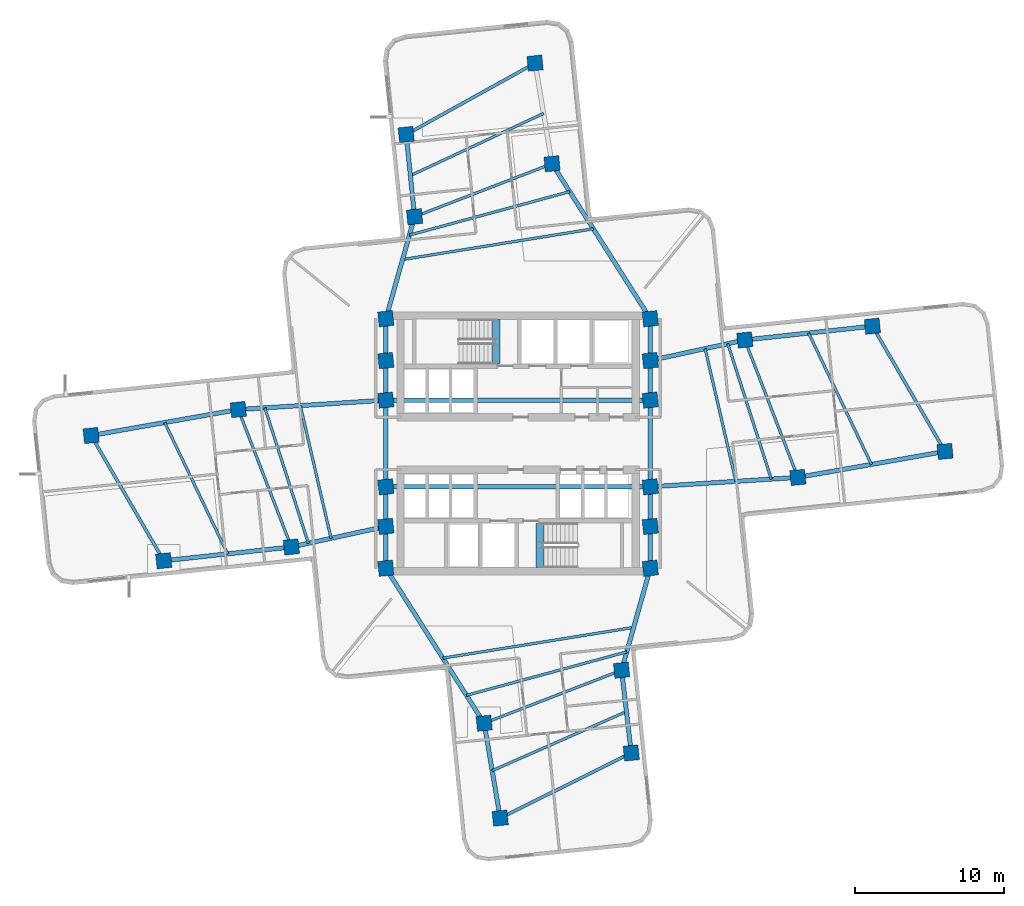
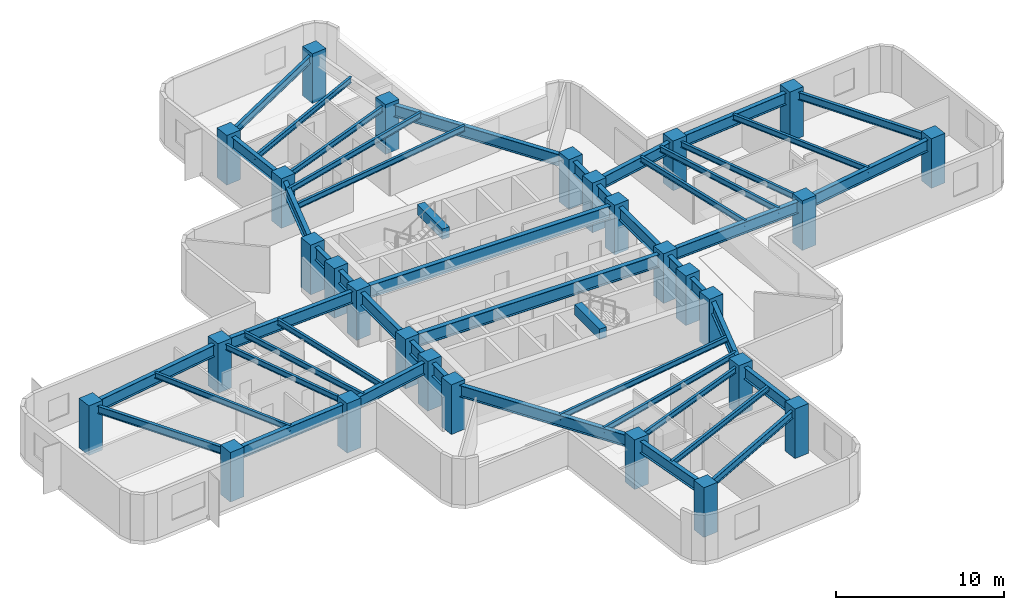
# One storey, part 1 of 9: 49 beams, 28 columns.
"""IFC4 building model written with IfcOpenShell, lengths in metres."""

from ifc_helpers import new_model, si_unit, direction, frame, origin, origin_2d, place, context, subcontext, project, spatial, rectangle, i_section, extrude, material, material_profile, profile_set, type_object, element, save


model = new_model("IFC4")

# Units and contexts
model_context = context("Model", 3, precision=1e-05, world=origin(), true_north=direction((0.0, 1.0)))
body_context = subcontext(model_context, "Body", "Model", "MODEL_VIEW")
ifc_project = project(units=[si_unit("LENGTHUNIT", "METRE"), si_unit("AREAUNIT", "SQUARE_METRE"), si_unit("VOLUMEUNIT", "CUBIC_METRE"), si_unit("PLANEANGLEUNIT", "RADIAN"), si_unit("MASSUNIT", "GRAM", prefix="KILO")], contexts=[model_context])

# Site, building, storey
site_placement = place(None, origin())
site = spatial("IfcSite", under=ifc_project, at=site_placement, CompositionType="ELEMENT")
building_placement = place(site_placement, origin())
building = spatial("IfcBuilding", under=site, at=building_placement, Name="Solmarez Civic Tower", CompositionType="ELEMENT")
storey_placement = place(building_placement, frame((0.0, 0.0, 71.280029296875)))
storey = spatial("IfcBuildingStorey", under=building, at=storey_placement, Name="L18", CompositionType="ELEMENT", Elevation=71.280029296875)

# Columns
ifc_material_1 = material(Name="Concrete C60/75", Category="concrete")
ifc_material_profile_1 = material_profile(ifc_material_1, rectangle(XDim=1.0, YDim=1.0, at=origin_2d()), Name="RC1000X1000")
ifc_profile_set_1 = profile_set([ifc_material_profile_1], Name="Concrete C60/75")
column_type = type_object("IfcColumnType", Name="COL-RC1000", PredefinedType="COLUMN", material=ifc_profile_set_1)
for number, where, z_axis, x_axis, name in (
    (1, (-8.85009765625, -5.550048828125, 0.0), (0.0, 0.0, 1.0), (0.994880708829, 0.101056297183, 0.0), "L18 Structural Column HC1"),
    (2, (-8.85009765625, -2.89990234375, 0.0), (0.0, 0.0, 1.0), (0.994880708829, 0.101056297183, 0.0), "L18 Structural Column HC2"),
    (3, (-8.85009765625, 2.89990234375, 0.0), (0.0, 0.0, 1.0), (0.994880708829, 0.101056297183, 0.0), "L18 Structural Column HC3"),
    (4, (-8.85009765625, 5.550048828125, 0.0), (0.0, 0.0, 1.0), (0.994880708829, 0.101056297183, 0.0), "L18 Structural Column HC4"),
    (5, (8.85009765625, -5.550048828125, 0.0), (0.0, 0.0, 1.0), (0.994880708829, 0.101056297183, 0.0), "L18 Structural Column HC5"),
    (6, (8.85009765625, -2.89990234375, 0.0), (0.0, 0.0, 1.0), (0.994880708829, 0.101056297183, 0.0), "L18 Structural Column HC6"),
    (7, (8.85009765625, 2.89990234375, 0.0), (0.0, 0.0, 1.0), (0.994880708829, 0.101056297183, 0.0), "L18 Structural Column HC7"),
    (8, (8.85009765625, 5.550048828125, 0.0), (0.0, 0.0, 1.0), (0.994880708829, 0.101056297183, 0.0), "L18 Structural Column HC8"),
    (9, (-8.85009765625, 8.35009765625, 0.0), (0.0, 0.0, 1.0), (0.994880708829, 0.101056297183, 0.0), "L18 Structural Column HC9"),
    (10, (8.85009765625, -8.35009765625, 0.0), (0.0, 0.0, 1.0), (0.994880708829, 0.101056297183, 0.0), "L18 Structural Column HC10"),
    (11, (8.85009765625, 8.35009765625, 0.0), (0.0, 0.0, 1.0), (0.994880708829, 0.101056297183, 0.0), "L18 Structural Column HC11"),
    (12, (-8.85009765625, -8.35009765625, 0.0), (0.0, 0.0, 1.0), (0.994880708829, 0.101056297183, 0.0), "L18 Structural Column HC12"),
    (13, (18.72412109375, -2.27099609375, 0.0), (0.0, 0.0, 1.0), (0.994880708829, 0.101056297183, 0.0), "L18 Structural Column EA11"),
    (14, (15.175048828125, 6.927001953125, 0.0), (0.0, 0.0, 1.0), (0.994880708829, 0.101056297183, 0.0), "L18 Structural Column EA12"),
    (15, (28.575927734375, -0.532958984375, 0.0), (0.0, 0.0, 1.0), (0.994880708829, 0.101056297183, 0.0), "L18 Structural Column EA21"),
    (16, (23.715087890625, 7.85107421875, 0.0), (0.0, 0.0, 1.0), (0.994880708829, 0.101056297183, 0.0), "L18 Structural Column EA22"),
    (17, (2.27099609375, 18.72412109375, 0.0), (0.0, 0.0, 1.0), (0.994880708829, 0.101056297183, 0.0), "L18 Structural Column NA11"),
    (18, (-6.927001953125, 15.175048828125, 0.0), (0.0, 0.0, 1.0), (0.994880708829, 0.101056297183, 0.0), "L18 Structural Column NA12"),
    (19, (1.138916015625, 25.45703125, 0.0), (0.0, 0.0, 1.0), (0.994880708829, 0.101056297183, 0.0), "L18 Structural Column NA21"),
    (20, (-7.489013671875, 20.678955078125, 0.0), (0.0, 0.0, 1.0), (0.994880708829, 0.101056297183, 0.0), "L18 Structural Column NA22"),
    (21, (-18.72412109375, 2.27099609375, 0.0), (0.0, 0.0, 1.0), (0.994880708829, 0.101056297183, 0.0), "L18 Structural Column WA11"),
    (22, (-15.175048828125, -6.927001953125, 0.0), (0.0, 0.0, 1.0), (0.994880708829, 0.101056297183, 0.0), "L18 Structural Column WA12"),
    (23, (-28.575927734375, 0.532958984375, 0.0), (0.0, 0.0, 1.0), (0.994880708829, 0.101056297183, 0.0), "L18 Structural Column WA21"),
    (24, (-23.715087890625, -7.85107421875, 0.0), (0.0, 0.0, 1.0), (0.994880708829, 0.101056297183, 0.0), "L18 Structural Column WA22"),
    (25, (-2.27099609375, -18.72412109375, 0.0), (0.0, 0.0, 1.0), (0.994880708829, 0.101056297183, 0.0), "L18 Structural Column SA11"),
    (26, (6.927001953125, -15.175048828125, 0.0), (0.0, 0.0, 1.0), (0.994880708829, 0.101056297183, 0.0), "L18 Structural Column SA12"),
    (27, (-1.195068359375, -25.073974609375, 0.0), (0.0, 0.0, 1.0), (0.994880708829, 0.101056297183, 0.0), "L18 Structural Column SA21"),
    (28, (7.573974609375, -20.714111328125, 0.0), (0.0, 0.0, 1.0), (0.994880708829, 0.101056297183, 0.0), "L18 Structural Column SA22"),
):
    element("IfcColumn", number, at=place(storey_placement, frame(where, z_axis=z_axis, x_axis=x_axis)), inside=storey, type_object=column_type, Name=name, PredefinedType="COLUMN", context=body_context, shape_type="SweptSolid", body=[
        extrude(rectangle(XDim=1.0, YDim=1.0, at=origin_2d()), origin(), (0.0, 0.0, 1.0), 3.599853515625),
    ])

# Beams
ifc_material_2 = material(Name="Steel S355", Category="steel")
ifc_material_profile_2 = material_profile(ifc_material_2, i_section(OverallWidth=0.178955078125, OverallDepth=0.409912109375, WebThickness=0.0087890625, FlangeThickness=0.014404296875, at=origin_2d()), Name="W16X45")
ifc_profile_set_2 = profile_set([ifc_material_profile_2], Name="Steel S355")
beam_type_1 = type_object("IfcBeamType", Name="BM-JS-W16X45", PredefinedType="JOIST", material=ifc_profile_set_2)
beam_1_placement = place(storey_placement, frame((18.72412109375, -2.27099609375, 3.135009765625), z_axis=(-0.359984466214, 0.932958297077, 0.0), x_axis=(-0.932958297077, -0.359984466214, 0.0)))
element("IfcBeam", 29, at=beam_1_placement, inside=storey, type_object=beam_type_1, Name="L18 Secondary Floor Joist BM-L18-EA-T1", PredefinedType="JOIST", context=body_context, shape_type="SweptSolid", body=[
    extrude(i_section(OverallWidth=0.178955078125, OverallDepth=0.409912109375, WebThickness=0.0087890625, FlangeThickness=0.014404296875, at=origin_2d()), origin(), (0.0, 0.0, 1.0), 9.85888671875),
])
beam_2_placement = place(storey_placement, frame((23.64990234375, -1.402099609375, 3.135009765625), z_axis=(-0.431491843414, 0.902116837814, 0.0), x_axis=(-0.902116837814, -0.431491843414, 0.0)))
element("IfcBeam", 30, at=beam_2_placement, inside=storey, type_object=beam_type_1, Name="L18 Secondary Floor Joist JS-L18-EA-M2", PredefinedType="JOIST", context=body_context, shape_type="SweptSolid", body=[
    extrude(i_section(OverallWidth=0.178955078125, OverallDepth=0.409912109375, WebThickness=0.0087890625, FlangeThickness=0.014404296875, at=origin_2d()), origin(), (0.0, 0.0, 1.0), 9.744873046875),
])
beam_3_placement = place(storey_placement, frame((14.576904296875, -2.534912109375, 3.135009765625), z_axis=(-0.225762717226, 0.974182321494, 0.0), x_axis=(-0.974182321494, -0.225762717226, 0.0)))
element("IfcBeam", 31, at=beam_3_placement, inside=storey, type_object=beam_type_1, Name="L18 Secondary Floor Joist JS-L18-EA-M11", PredefinedType="JOIST", context=body_context, shape_type="SweptSolid", body=[
    extrude(i_section(OverallWidth=0.178955078125, OverallDepth=0.409912109375, WebThickness=0.0087890625, FlangeThickness=0.014404296875, at=origin_2d()), origin(), (0.0, 0.0, 1.0), 9.119384765625),
])
beam_4_placement = place(storey_placement, frame((16.947021484375, -2.384033203125, 3.135009765625), z_axis=(-0.305705295997, 0.952126184914, 0.0), x_axis=(-0.952126184914, -0.305705295997, 0.0)))
element("IfcBeam", 32, at=beam_4_placement, inside=storey, type_object=beam_type_1, Name="L18 Secondary Floor Joist JS-L18-EA-M12", PredefinedType="JOIST", context=body_context, shape_type="SweptSolid", body=[
    extrude(i_section(OverallWidth=0.178955078125, OverallDepth=0.409912109375, WebThickness=0.0087890625, FlangeThickness=0.014404296875, at=origin_2d()), origin(), (0.0, 0.0, 1.0), 9.518798828125),
])
beam_5_placement = place(storey_placement, frame((2.27099609375, 18.72412109375, 3.135009765625), z_axis=(-0.932958297077, -0.359984466214, 0.0), x_axis=(0.359984466214, -0.932958297077, 0.0)))
element("IfcBeam", 33, at=beam_5_placement, inside=storey, type_object=beam_type_1, Name="L18 Secondary Floor Joist BM-L18-NA-T1", PredefinedType="JOIST", context=body_context, shape_type="SweptSolid", body=[
    extrude(i_section(OverallWidth=0.178955078125, OverallDepth=0.409912109375, WebThickness=0.0087890625, FlangeThickness=0.014404296875, at=origin_2d()), origin(), (0.0, 0.0, 1.0), 9.85888671875),
])
beam_6_placement = place(storey_placement, frame((1.705078125, 22.090087890625, 3.135009765625), z_axis=(-0.906041066986, -0.423189774138, 0.0), x_axis=(0.423189774138, -0.906041066986, 0.0)))
element("IfcBeam", 34, at=beam_6_placement, inside=storey, type_object=beam_type_1, Name="L18 Secondary Floor Joist JS-L18-NA-M2", PredefinedType="JOIST", context=body_context, shape_type="SweptSolid", body=[
    extrude(i_section(OverallWidth=0.178955078125, OverallDepth=0.409912109375, WebThickness=0.0087890625, FlangeThickness=0.014404296875, at=origin_2d()), origin(), (0.0, 0.0, 1.0), 9.83740234375),
])
beam_7_placement = place(storey_placement, frame((5.033935546875, 14.366943359375, 3.135009765625), z_axis=(-0.987261309887, -0.159107215423, 0.0), x_axis=(0.159107215423, -0.987261309887, 0.0)))
element("IfcBeam", 35, at=beam_7_placement, inside=storey, type_object=beam_type_1, Name="L18 Secondary Floor Joist JS-L18-NA-M11", PredefinedType="JOIST", context=body_context, shape_type="SweptSolid", body=[
    extrude(i_section(OverallWidth=0.178955078125, OverallDepth=0.409912109375, WebThickness=0.0087890625, FlangeThickness=0.014404296875, at=origin_2d()), origin(), (0.0, 0.0, 1.0), 12.933837890625),
])
beam_8_placement = place(storey_placement, frame((3.455078125, 16.85693359375, 3.135009765625), z_axis=(-0.965126314795, -0.261784637614, 0.0), x_axis=(0.261784637614, -0.965126314795, 0.0)))
element("IfcBeam", 36, at=beam_8_placement, inside=storey, type_object=beam_type_1, Name="L18 Secondary Floor Joist JS-L18-NA-M12", PredefinedType="JOIST", context=body_context, shape_type="SweptSolid", body=[
    extrude(i_section(OverallWidth=0.178955078125, OverallDepth=0.409912109375, WebThickness=0.0087890625, FlangeThickness=0.014404296875, at=origin_2d()), origin(), (0.0, 0.0, 1.0), 11.11572265625),
])
beam_9_placement = place(storey_placement, frame((-18.72412109375, 2.27099609375, 3.135009765625), z_axis=(0.359984466214, -0.932958297077, 0.0), x_axis=(0.932958297077, 0.359984466214, 0.0)))
element("IfcBeam", 37, at=beam_9_placement, inside=storey, type_object=beam_type_1, Name="L18 Secondary Floor Joist BM-L18-WA-T1", PredefinedType="JOIST", context=body_context, shape_type="SweptSolid", body=[
    extrude(i_section(OverallWidth=0.178955078125, OverallDepth=0.409912109375, WebThickness=0.0087890625, FlangeThickness=0.014404296875, at=origin_2d()), origin(), (0.0, 0.0, 1.0), 9.85888671875),
])
beam_10_placement = place(storey_placement, frame((-23.64990234375, 1.402099609375, 3.135009765625), z_axis=(0.431491843414, -0.902116837814, 0.0), x_axis=(0.902116837814, 0.431491843414, 0.0)))
element("IfcBeam", 38, at=beam_10_placement, inside=storey, type_object=beam_type_1, Name="L18 Secondary Floor Joist JS-L18-WA-M2", PredefinedType="JOIST", context=body_context, shape_type="SweptSolid", body=[
    extrude(i_section(OverallWidth=0.178955078125, OverallDepth=0.409912109375, WebThickness=0.0087890625, FlangeThickness=0.014404296875, at=origin_2d()), origin(), (0.0, 0.0, 1.0), 9.744873046875),
])
beam_11_placement = place(storey_placement, frame((-14.576904296875, 2.534912109375, 3.135009765625), z_axis=(0.225762717226, -0.974182321494, 0.0), x_axis=(0.974182321494, 0.225762717226, 0.0)))
element("IfcBeam", 39, at=beam_11_placement, inside=storey, type_object=beam_type_1, Name="L18 Secondary Floor Joist JS-L18-WA-M11", PredefinedType="JOIST", context=body_context, shape_type="SweptSolid", body=[
    extrude(i_section(OverallWidth=0.178955078125, OverallDepth=0.409912109375, WebThickness=0.0087890625, FlangeThickness=0.014404296875, at=origin_2d()), origin(), (0.0, 0.0, 1.0), 9.119384765625),
])
beam_12_placement = place(storey_placement, frame((-16.947021484375, 2.384033203125, 3.135009765625), z_axis=(0.305705295997, -0.952126184914, 0.0), x_axis=(0.952126184914, 0.305705295997, 0.0)))
element("IfcBeam", 40, at=beam_12_placement, inside=storey, type_object=beam_type_1, Name="L18 Secondary Floor Joist JS-L18-WA-M12", PredefinedType="JOIST", context=body_context, shape_type="SweptSolid", body=[
    extrude(i_section(OverallWidth=0.178955078125, OverallDepth=0.409912109375, WebThickness=0.0087890625, FlangeThickness=0.014404296875, at=origin_2d()), origin(), (0.0, 0.0, 1.0), 9.518798828125),
])
beam_13_placement = place(storey_placement, frame((-2.27099609375, -18.72412109375, 3.135009765625), z_axis=(0.932958297077, 0.359984466214, 0.0), x_axis=(-0.359984466214, 0.932958297077, 0.0)))
element("IfcBeam", 41, at=beam_13_placement, inside=storey, type_object=beam_type_1, Name="L18 Secondary Floor Joist BM-L18-SA-T1", PredefinedType="JOIST", context=body_context, shape_type="SweptSolid", body=[
    extrude(i_section(OverallWidth=0.178955078125, OverallDepth=0.409912109375, WebThickness=0.0087890625, FlangeThickness=0.014404296875, at=origin_2d()), origin(), (0.0, 0.0, 1.0), 9.85888671875),
])
beam_14_placement = place(storey_placement, frame((-1.73291015625, -21.89892578125, 3.135009765625), z_axis=(0.915226616427, 0.402939499905, 0.0), x_axis=(-0.402939499905, 0.915226616427, 0.0)))
element("IfcBeam", 42, at=beam_14_placement, inside=storey, type_object=beam_type_1, Name="L18 Secondary Floor Joist JS-L18-SA-M2", PredefinedType="JOIST", context=body_context, shape_type="SweptSolid", body=[
    extrude(i_section(OverallWidth=0.178955078125, OverallDepth=0.409912109375, WebThickness=0.0087890625, FlangeThickness=0.014404296875, at=origin_2d()), origin(), (0.0, 0.0, 1.0), 9.81494140625),
])
beam_15_placement = place(storey_placement, frame((-5.033935546875, -14.366943359375, 3.135009765625), z_axis=(0.987261309887, 0.159107215423, 0.0), x_axis=(-0.159107215423, 0.987261309887, 0.0)))
element("IfcBeam", 43, at=beam_15_placement, inside=storey, type_object=beam_type_1, Name="L18 Secondary Floor Joist JS-L18-SA-M11", PredefinedType="JOIST", context=body_context, shape_type="SweptSolid", body=[
    extrude(i_section(OverallWidth=0.178955078125, OverallDepth=0.409912109375, WebThickness=0.0087890625, FlangeThickness=0.014404296875, at=origin_2d()), origin(), (0.0, 0.0, 1.0), 12.933837890625),
])
beam_16_placement = place(storey_placement, frame((-3.455078125, -16.85693359375, 3.135009765625), z_axis=(0.965126314795, 0.261784637614, 0.0), x_axis=(-0.261784637614, 0.965126314795, 0.0)))
element("IfcBeam", 44, at=beam_16_placement, inside=storey, type_object=beam_type_1, Name="L18 Secondary Floor Joist JS-L18-SA-M12", PredefinedType="JOIST", context=body_context, shape_type="SweptSolid", body=[
    extrude(i_section(OverallWidth=0.178955078125, OverallDepth=0.409912109375, WebThickness=0.0087890625, FlangeThickness=0.014404296875, at=origin_2d()), origin(), (0.0, 0.0, 1.0), 11.11572265625),
])
ifc_material_3 = material(Name="Concrete C50/60", Category="concrete")
ifc_material_profile_3 = material_profile(ifc_material_3, rectangle(XDim=0.5, YDim=0.75, at=origin_2d()), Name="RC500X750")
ifc_profile_set_3 = profile_set([ifc_material_profile_3], Name="Concrete C50/60")
beam_type_2 = type_object("IfcBeamType", Name="BM-PR-RC500X750", PredefinedType="BEAM", material=ifc_profile_set_3)
for number, where, z_axis, x_axis, name in (
    (45, (-1.449951171875, 5.340087890625, 3.23291015625), (0.0, 1.0, 0.0), (-1.0, 0.0, 0.0), "L18 North Stair Threshold Beam"),
    (46, (1.449951171875, -8.300048828125, 3.23291015625), (0.0, 1.0, 0.0), (-1.0, 0.0, 0.0), "L18 South Stair Threshold Beam"),
):
    element("IfcBeam", number, at=place(storey_placement, frame(where, z_axis=z_axis, x_axis=x_axis)), inside=storey, type_object=beam_type_2, Name=name, PredefinedType="BEAM", context=body_context, shape_type="SweptSolid", body=[
        extrude(rectangle(XDim=0.5, YDim=0.75, at=origin_2d()), origin(), (0.0, 0.0, 1.0), 2.9599609375),
    ])
ifc_material_profile_4 = material_profile(ifc_material_2, i_section(OverallWidth=0.2919921875, OverallDepth=0.845947265625, WebThickness=0.015380859375, FlangeThickness=0.0244140625, at=origin_2d()), Name="W33X141")
ifc_profile_set_4 = profile_set([ifc_material_profile_4], Name="Steel S355")
beam_type_3 = type_object("IfcBeamType", Name="BM-PR-W33X141", PredefinedType="BEAM", material=ifc_profile_set_4)
beam_17_placement = place(storey_placement, frame((8.85009765625, -2.89990234375, 2.9169921875), z_axis=(0.997977751208, 0.063564204508, 0.0), x_axis=(-0.063564204508, 0.997977751208, 0.0)))
element("IfcBeam", 47, at=beam_17_placement, inside=storey, type_object=beam_type_3, Name="L18 Primary Floor Beam BM-L18-EA-R1A", PredefinedType="BEAM", context=body_context, shape_type="SweptSolid", body=[
    extrude(i_section(OverallWidth=0.2919921875, OverallDepth=0.845947265625, WebThickness=0.015380859375, FlangeThickness=0.0244140625, at=origin_2d()), origin(), (0.0, 0.0, 1.0), 9.89404296875),
])
beam_18_placement = place(storey_placement, frame((8.85009765625, 5.550048828125, 2.9169921875), z_axis=(0.977113347202, 0.212719314402, 0.0), x_axis=(-0.212719314402, 0.977113347202, 0.0)))
element("IfcBeam", 48, at=beam_18_placement, inside=storey, type_object=beam_type_3, Name="L18 Primary Floor Beam BM-L18-EA-R1B", PredefinedType="BEAM", context=body_context, shape_type="SweptSolid", body=[
    extrude(i_section(OverallWidth=0.2919921875, OverallDepth=0.845947265625, WebThickness=0.015380859375, FlangeThickness=0.0244140625, at=origin_2d()), origin(), (0.0, 0.0, 1.0), 6.47314453125),
])
beam_19_placement = place(storey_placement, frame((18.72412109375, -2.27099609375, 2.9169921875), z_axis=(0.984792402105, 0.173735214497, 0.0), x_axis=(-0.173735214497, 0.984792402105, 0.0)))
element("IfcBeam", 49, at=beam_19_placement, inside=storey, type_object=beam_type_3, Name="L18 Primary Floor Beam BM-L18-EA-R2A", PredefinedType="BEAM", context=body_context, shape_type="SweptSolid", body=[
    extrude(i_section(OverallWidth=0.2919921875, OverallDepth=0.845947265625, WebThickness=0.015380859375, FlangeThickness=0.0244140625, at=origin_2d()), origin(), (0.0, 0.0, 1.0), 10.00390625),
])
beam_20_placement = place(storey_placement, frame((15.175048828125, 6.927001953125, 2.9169921875), z_axis=(0.994196782435, 0.107576753045, 0.0), x_axis=(-0.107576753045, 0.994196782435, 0.0)))
element("IfcBeam", 50, at=beam_20_placement, inside=storey, type_object=beam_type_3, Name="L18 Primary Floor Beam BM-L18-EA-R2B", PredefinedType="BEAM", context=body_context, shape_type="SweptSolid", body=[
    extrude(i_section(OverallWidth=0.2919921875, OverallDepth=0.845947265625, WebThickness=0.015380859375, FlangeThickness=0.0244140625, at=origin_2d()), origin(), (0.0, 0.0, 1.0), 8.58984375),
])
beam_21_placement = place(storey_placement, frame((8.85009765625, 8.35009765625, 2.9169921875), z_axis=(-0.535568299099, 0.84449191648, 0.0), x_axis=(-0.84449191648, -0.535568299099, 0.0)))
element("IfcBeam", 51, at=beam_21_placement, inside=storey, type_object=beam_type_3, Name="L18 Primary Floor Beam BM-L18-NA-R1A", PredefinedType="BEAM", context=body_context, shape_type="SweptSolid", body=[
    extrude(i_section(OverallWidth=0.2919921875, OverallDepth=0.845947265625, WebThickness=0.015380859375, FlangeThickness=0.0244140625, at=origin_2d()), origin(), (0.0, 0.0, 1.0), 12.284423828125),
])
beam_22_placement = place(storey_placement, frame((-8.85009765625, 8.35009765625, 2.9169921875), z_axis=(0.271213183726, 0.962519303169, 0.0), x_axis=(-0.962519303169, 0.271213183726, 0.0)))
element("IfcBeam", 52, at=beam_22_placement, inside=storey, type_object=beam_type_3, Name="L18 Primary Floor Beam BM-L18-NA-R1B", PredefinedType="BEAM", context=body_context, shape_type="SweptSolid", body=[
    extrude(i_section(OverallWidth=0.2919921875, OverallDepth=0.845947265625, WebThickness=0.015380859375, FlangeThickness=0.0244140625, at=origin_2d()), origin(), (0.0, 0.0, 1.0), 7.0908203125),
])
beam_23_placement = place(storey_placement, frame((-6.927001953125, 15.175048828125, 2.9169921875), z_axis=(-0.101583208843, 0.994827046115, 0.0), x_axis=(-0.994827046115, -0.101583208843, 0.0)))
element("IfcBeam", 53, at=beam_23_placement, inside=storey, type_object=beam_type_3, Name="L18 Primary Floor Beam BM-L18-NA-R2B", PredefinedType="BEAM", context=body_context, shape_type="SweptSolid", body=[
    extrude(i_section(OverallWidth=0.2919921875, OverallDepth=0.845947265625, WebThickness=0.015380859375, FlangeThickness=0.0244140625, at=origin_2d()), origin(), (0.0, 0.0, 1.0), 5.532470703125),
])
beam_24_placement = place(storey_placement, frame((-8.85009765625, 2.89990234375, 2.9169921875), z_axis=(-0.997977751208, -0.063564204508, 0.0), x_axis=(0.063564204508, -0.997977751208, 0.0)))
element("IfcBeam", 54, at=beam_24_placement, inside=storey, type_object=beam_type_3, Name="L18 Primary Floor Beam BM-L18-WA-R1A", PredefinedType="BEAM", context=body_context, shape_type="SweptSolid", body=[
    extrude(i_section(OverallWidth=0.2919921875, OverallDepth=0.845947265625, WebThickness=0.015380859375, FlangeThickness=0.0244140625, at=origin_2d()), origin(), (0.0, 0.0, 1.0), 9.89404296875),
])
beam_25_placement = place(storey_placement, frame((-8.85009765625, -5.550048828125, 2.9169921875), z_axis=(-0.977113347202, -0.212719314402, 0.0), x_axis=(0.212719314402, -0.977113347202, 0.0)))
element("IfcBeam", 55, at=beam_25_placement, inside=storey, type_object=beam_type_3, Name="L18 Primary Floor Beam BM-L18-WA-R1B", PredefinedType="BEAM", context=body_context, shape_type="SweptSolid", body=[
    extrude(i_section(OverallWidth=0.2919921875, OverallDepth=0.845947265625, WebThickness=0.015380859375, FlangeThickness=0.0244140625, at=origin_2d()), origin(), (0.0, 0.0, 1.0), 6.47314453125),
])
beam_26_placement = place(storey_placement, frame((-18.72412109375, 2.27099609375, 2.9169921875), z_axis=(-0.984792402105, -0.173735214497, 0.0), x_axis=(0.173735214497, -0.984792402105, 0.0)))
element("IfcBeam", 56, at=beam_26_placement, inside=storey, type_object=beam_type_3, Name="L18 Primary Floor Beam BM-L18-WA-R2A", PredefinedType="BEAM", context=body_context, shape_type="SweptSolid", body=[
    extrude(i_section(OverallWidth=0.2919921875, OverallDepth=0.845947265625, WebThickness=0.015380859375, FlangeThickness=0.0244140625, at=origin_2d()), origin(), (0.0, 0.0, 1.0), 10.00390625),
])
beam_27_placement = place(storey_placement, frame((-15.175048828125, -6.927001953125, 2.9169921875), z_axis=(-0.994196782435, -0.107576753045, 0.0), x_axis=(0.107576753045, -0.994196782435, 0.0)))
element("IfcBeam", 57, at=beam_27_placement, inside=storey, type_object=beam_type_3, Name="L18 Primary Floor Beam BM-L18-WA-R2B", PredefinedType="BEAM", context=body_context, shape_type="SweptSolid", body=[
    extrude(i_section(OverallWidth=0.2919921875, OverallDepth=0.845947265625, WebThickness=0.015380859375, FlangeThickness=0.0244140625, at=origin_2d()), origin(), (0.0, 0.0, 1.0), 8.58984375),
])
beam_28_placement = place(storey_placement, frame((-8.85009765625, -8.35009765625, 2.9169921875), z_axis=(0.535568299099, -0.84449191648, 0.0), x_axis=(0.84449191648, 0.535568299099, 0.0)))
element("IfcBeam", 58, at=beam_28_placement, inside=storey, type_object=beam_type_3, Name="L18 Primary Floor Beam BM-L18-SA-R1A", PredefinedType="BEAM", context=body_context, shape_type="SweptSolid", body=[
    extrude(i_section(OverallWidth=0.2919921875, OverallDepth=0.845947265625, WebThickness=0.015380859375, FlangeThickness=0.0244140625, at=origin_2d()), origin(), (0.0, 0.0, 1.0), 12.284423828125),
])
beam_29_placement = place(storey_placement, frame((8.85009765625, -8.35009765625, 2.9169921875), z_axis=(-0.271213183726, -0.962519303169, 0.0), x_axis=(0.962519303169, -0.271213183726, 0.0)))
element("IfcBeam", 59, at=beam_29_placement, inside=storey, type_object=beam_type_3, Name="L18 Primary Floor Beam BM-L18-SA-R1B", PredefinedType="BEAM", context=body_context, shape_type="SweptSolid", body=[
    extrude(i_section(OverallWidth=0.2919921875, OverallDepth=0.845947265625, WebThickness=0.015380859375, FlangeThickness=0.0244140625, at=origin_2d()), origin(), (0.0, 0.0, 1.0), 7.0908203125),
])
beam_30_placement = place(storey_placement, frame((-2.27099609375, -18.72412109375, 2.9169921875), z_axis=(0.167060138422, -0.985946707561, 0.0), x_axis=(0.985946707561, 0.167060138422, 0.0)))
element("IfcBeam", 60, at=beam_30_placement, inside=storey, type_object=beam_type_3, Name="L18 Primary Floor Beam BM-L18-SA-R2A", PredefinedType="BEAM", context=body_context, shape_type="SweptSolid", body=[
    extrude(i_section(OverallWidth=0.2919921875, OverallDepth=0.845947265625, WebThickness=0.015380859375, FlangeThickness=0.0244140625, at=origin_2d()), origin(), (0.0, 0.0, 1.0), 6.4404296875),
])
beam_31_placement = place(storey_placement, frame((6.927001953125, -15.175048828125, 2.9169921875), z_axis=(0.11601314993, -0.993247677593, 0.0), x_axis=(0.993247677593, 0.11601314993, 0.0)))
element("IfcBeam", 61, at=beam_31_placement, inside=storey, type_object=beam_type_3, Name="L18 Primary Floor Beam BM-L18-SA-R2B", PredefinedType="BEAM", context=body_context, shape_type="SweptSolid", body=[
    extrude(i_section(OverallWidth=0.2919921875, OverallDepth=0.845947265625, WebThickness=0.015380859375, FlangeThickness=0.0244140625, at=origin_2d()), origin(), (0.0, 0.0, 1.0), 5.57666015625),
])
ifc_material_profile_5 = material_profile(ifc_material_2, i_section(OverallWidth=0.306884765625, OverallDepth=0.927001953125, WebThickness=0.019287109375, FlangeThickness=0.031982421875, at=origin_2d()), Name="W36X194")
ifc_profile_set_5 = profile_set([ifc_material_profile_5], Name="Steel S355")
beam_type_4 = type_object("IfcBeamType", Name="BM-PR-W36X194", PredefinedType="BEAM", material=ifc_profile_set_5)
beam_32_placement = place(storey_placement, frame((-8.85009765625, -8.35009765625, 2.876953125), z_axis=(0.0, 1.0, 0.0), x_axis=(-1.0, 0.0, 0.0)))
element("IfcBeam", 62, at=beam_32_placement, inside=storey, type_object=beam_type_4, Name="L18 Primary Floor Beam BM-L18-HC12-HC1", PredefinedType="BEAM", context=body_context, shape_type="SweptSolid", body=[
    extrude(i_section(OverallWidth=0.306884765625, OverallDepth=0.927001953125, WebThickness=0.019287109375, FlangeThickness=0.031982421875, at=origin_2d()), origin(), (0.0, 0.0, 1.0), 2.800048828125),
])
beam_33_placement = place(storey_placement, frame((-8.85009765625, -5.550048828125, 2.876953125), z_axis=(0.0, 1.0, 0.0), x_axis=(-1.0, 0.0, 0.0)))
element("IfcBeam", 63, at=beam_33_placement, inside=storey, type_object=beam_type_4, Name="L18 Primary Floor Beam BM-L18-HC1-HC2", PredefinedType="BEAM", context=body_context, shape_type="SweptSolid", body=[
    extrude(i_section(OverallWidth=0.306884765625, OverallDepth=0.927001953125, WebThickness=0.019287109375, FlangeThickness=0.031982421875, at=origin_2d()), origin(), (0.0, 0.0, 1.0), 2.650146484375),
])
beam_34_placement = place(storey_placement, frame((-8.85009765625, -2.89990234375, 2.876953125), z_axis=(0.0, 1.0, 0.0), x_axis=(-1.0, 0.0, 0.0)))
element("IfcBeam", 64, at=beam_34_placement, inside=storey, type_object=beam_type_4, Name="L18 Primary Floor Beam BM-L18-HC2-HC3", PredefinedType="BEAM", context=body_context, shape_type="SweptSolid", body=[
    extrude(i_section(OverallWidth=0.306884765625, OverallDepth=0.927001953125, WebThickness=0.019287109375, FlangeThickness=0.031982421875, at=origin_2d()), origin(), (0.0, 0.0, 1.0), 5.7998046875),
])
beam_35_placement = place(storey_placement, frame((-8.85009765625, 2.89990234375, 2.876953125), z_axis=(0.0, 1.0, 0.0), x_axis=(-1.0, 0.0, 0.0)))
element("IfcBeam", 65, at=beam_35_placement, inside=storey, type_object=beam_type_4, Name="L18 Primary Floor Beam BM-L18-HC3-HC4", PredefinedType="BEAM", context=body_context, shape_type="SweptSolid", body=[
    extrude(i_section(OverallWidth=0.306884765625, OverallDepth=0.927001953125, WebThickness=0.019287109375, FlangeThickness=0.031982421875, at=origin_2d()), origin(), (0.0, 0.0, 1.0), 2.650146484375),
])
for number, where, z_axis, x_axis, name in (
    (66, (-8.85009765625, 5.550048828125, 2.876953125), (0.0, 1.0, 0.0), (-1.0, 0.0, 0.0), "L18 Primary Floor Beam BM-L18-HC4-HC9"),
    (67, (8.85009765625, -8.35009765625, 2.876953125), (0.0, 1.0, 0.0), (-1.0, 0.0, 0.0), "L18 Primary Floor Beam BM-L18-HC10-HC5"),
):
    element("IfcBeam", number, at=place(storey_placement, frame(where, z_axis=z_axis, x_axis=x_axis)), inside=storey, type_object=beam_type_4, Name=name, PredefinedType="BEAM", context=body_context, shape_type="SweptSolid", body=[
        extrude(i_section(OverallWidth=0.306884765625, OverallDepth=0.927001953125, WebThickness=0.019287109375, FlangeThickness=0.031982421875, at=origin_2d()), origin(), (0.0, 0.0, 1.0), 2.800048828125),
    ])
beam_36_placement = place(storey_placement, frame((8.85009765625, -5.550048828125, 2.876953125), z_axis=(0.0, 1.0, 0.0), x_axis=(-1.0, 0.0, 0.0)))
element("IfcBeam", 68, at=beam_36_placement, inside=storey, type_object=beam_type_4, Name="L18 Primary Floor Beam BM-L18-HC5-HC6", PredefinedType="BEAM", context=body_context, shape_type="SweptSolid", body=[
    extrude(i_section(OverallWidth=0.306884765625, OverallDepth=0.927001953125, WebThickness=0.019287109375, FlangeThickness=0.031982421875, at=origin_2d()), origin(), (0.0, 0.0, 1.0), 2.650146484375),
])
beam_37_placement = place(storey_placement, frame((8.85009765625, -2.89990234375, 2.876953125), z_axis=(0.0, 1.0, 0.0), x_axis=(-1.0, 0.0, 0.0)))
element("IfcBeam", 69, at=beam_37_placement, inside=storey, type_object=beam_type_4, Name="L18 Primary Floor Beam BM-L18-HC6-HC7", PredefinedType="BEAM", context=body_context, shape_type="SweptSolid", body=[
    extrude(i_section(OverallWidth=0.306884765625, OverallDepth=0.927001953125, WebThickness=0.019287109375, FlangeThickness=0.031982421875, at=origin_2d()), origin(), (0.0, 0.0, 1.0), 5.7998046875),
])
beam_38_placement = place(storey_placement, frame((8.85009765625, 2.89990234375, 2.876953125), z_axis=(0.0, 1.0, 0.0), x_axis=(-1.0, 0.0, 0.0)))
element("IfcBeam", 70, at=beam_38_placement, inside=storey, type_object=beam_type_4, Name="L18 Primary Floor Beam BM-L18-HC7-HC8", PredefinedType="BEAM", context=body_context, shape_type="SweptSolid", body=[
    extrude(i_section(OverallWidth=0.306884765625, OverallDepth=0.927001953125, WebThickness=0.019287109375, FlangeThickness=0.031982421875, at=origin_2d()), origin(), (0.0, 0.0, 1.0), 2.650146484375),
])
beam_39_placement = place(storey_placement, frame((8.85009765625, 5.550048828125, 2.876953125), z_axis=(0.0, 1.0, 0.0), x_axis=(-1.0, 0.0, 0.0)))
element("IfcBeam", 71, at=beam_39_placement, inside=storey, type_object=beam_type_4, Name="L18 Primary Floor Beam BM-L18-HC8-HC11", PredefinedType="BEAM", context=body_context, shape_type="SweptSolid", body=[
    extrude(i_section(OverallWidth=0.306884765625, OverallDepth=0.927001953125, WebThickness=0.019287109375, FlangeThickness=0.031982421875, at=origin_2d()), origin(), (0.0, 0.0, 1.0), 2.800048828125),
])
for number, where, z_axis, x_axis, name in (
    (72, (-8.85009765625, -2.89990234375, 2.876953125), (1.0, 0.0, 0.0), (0.0, 1.0, 0.0), "L18 Primary Floor Beam BM-L18-HC2-HC6"),
    (73, (-8.85009765625, 2.89990234375, 2.876953125), (1.0, 0.0, 0.0), (0.0, 1.0, 0.0), "L18 Primary Floor Beam BM-L18-HC3-HC7"),
):
    element("IfcBeam", number, at=place(storey_placement, frame(where, z_axis=z_axis, x_axis=x_axis)), inside=storey, type_object=beam_type_4, Name=name, PredefinedType="BEAM", context=body_context, shape_type="SweptSolid", body=[
        extrude(i_section(OverallWidth=0.306884765625, OverallDepth=0.927001953125, WebThickness=0.019287109375, FlangeThickness=0.031982421875, at=origin_2d()), origin(), (0.0, 0.0, 1.0), 17.7001953125),
    ])
ifc_material_profile_6 = material_profile(ifc_material_2, i_section(OverallWidth=0.2109375, OverallDepth=0.5390625, WebThickness=0.01171875, FlangeThickness=0.018798828125, at=origin_2d()), Name="W21X73")
ifc_profile_set_6 = profile_set([ifc_material_profile_6], Name="Steel S355")
beam_type_5 = type_object("IfcBeamType", Name="BM-SP-W21X73", PredefinedType="SPANDREL", material=ifc_profile_set_6)
beam_40_placement = place(storey_placement, frame((28.575927734375, -0.532958984375, 3.071044921875), z_axis=(-0.501571424933, 0.865116238254, 0.0), x_axis=(-0.865116238254, -0.501571424933, 0.0)))
element("IfcBeam", 74, at=beam_40_placement, inside=storey, type_object=beam_type_5, Name="L18 Perimeter Spandrel Beam BM-L18-EA-T2", PredefinedType="SPANDREL", context=body_context, shape_type="SweptSolid", body=[
    extrude(i_section(OverallWidth=0.2109375, OverallDepth=0.5390625, WebThickness=0.01171875, FlangeThickness=0.018798828125, at=origin_2d()), origin(), (0.0, 0.0, 1.0), 9.691162109375),
])
beam_41_placement = place(storey_placement, frame((1.138916015625, 25.45703125, 3.071044921875), z_axis=(-0.874811531682, -0.484463398035, 0.0), x_axis=(0.484463398035, -0.874811531682, 0.0)))
element("IfcBeam", 75, at=beam_41_placement, inside=storey, type_object=beam_type_5, Name="L18 Perimeter Spandrel Beam BM-L18-NA-T2", PredefinedType="SPANDREL", context=body_context, shape_type="SweptSolid", body=[
    extrude(i_section(OverallWidth=0.2109375, OverallDepth=0.5390625, WebThickness=0.01171875, FlangeThickness=0.018798828125, at=origin_2d()), origin(), (0.0, 0.0, 1.0), 9.862548828125),
])
beam_42_placement = place(storey_placement, frame((-28.575927734375, 0.532958984375, 3.071044921875), z_axis=(0.501571424933, -0.865116238254, 0.0), x_axis=(0.865116238254, 0.501571424933, 0.0)))
element("IfcBeam", 76, at=beam_42_placement, inside=storey, type_object=beam_type_5, Name="L18 Perimeter Spandrel Beam BM-L18-WA-T2", PredefinedType="SPANDREL", context=body_context, shape_type="SweptSolid", body=[
    extrude(i_section(OverallWidth=0.2109375, OverallDepth=0.5390625, WebThickness=0.01171875, FlangeThickness=0.018798828125, at=origin_2d()), origin(), (0.0, 0.0, 1.0), 9.691162109375),
])
beam_43_placement = place(storey_placement, frame((-1.195068359375, -25.073974609375, 3.071044921875), z_axis=(0.895432090654, 0.445198125589, 0.0), x_axis=(-0.445198125589, 0.895432090654, 0.0)))
element("IfcBeam", 77, at=beam_43_placement, inside=storey, type_object=beam_type_5, Name="L18 Perimeter Spandrel Beam BM-L18-SA-T2", PredefinedType="SPANDREL", context=body_context, shape_type="SweptSolid", body=[
    extrude(i_section(OverallWidth=0.2109375, OverallDepth=0.5390625, WebThickness=0.01171875, FlangeThickness=0.018798828125, at=origin_2d()), origin(), (0.0, 0.0, 1.0), 9.79296875),
])

save(model, "model.ifc")
